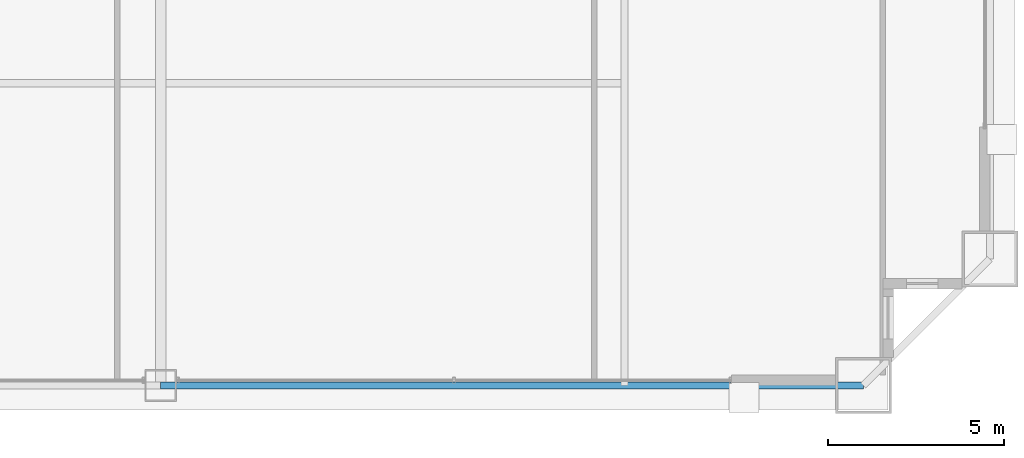
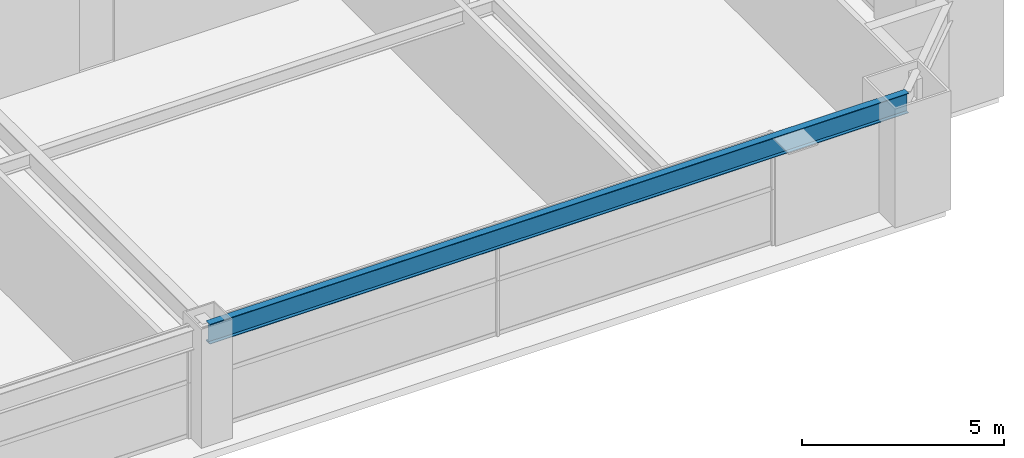
# One storey, part 14 of 38: 1 beam.
"""IFC4 building model written with IfcOpenShell, lengths in metres."""

from ifc_helpers import new_model, si_unit, direction, frame, origin, origin_2d, place, context, subcontext, project, spatial, i_section, extrude, source, transform, mapped, material, material_profile, profile_set, type_object, element, save


model = new_model("IFC4")

# Units and contexts
model_context = context("Model", 3, precision=1e-05, world=origin(), true_north=direction((0.0, 1.0)))
body_context = subcontext(model_context, "Body", "Model", "MODEL_VIEW")
ifc_project = project(units=[si_unit("LENGTHUNIT", "METRE"), si_unit("AREAUNIT", "SQUARE_METRE"), si_unit("VOLUMEUNIT", "CUBIC_METRE"), si_unit("PLANEANGLEUNIT", "RADIAN"), si_unit("MASSUNIT", "GRAM", prefix="KILO"), si_unit("THERMODYNAMICTEMPERATUREUNIT", "KELVIN"), si_unit("POWERUNIT", "WATT")], contexts=[model_context])

# Site, building, storey
site_placement = place(None, origin())
site = spatial("IfcSite", under=ifc_project, at=site_placement, CompositionType="ELEMENT")
building_placement = place(site_placement, origin())
building = spatial("IfcBuilding", under=site, at=building_placement, Name="Yuzanri Waterfront Tower", CompositionType="ELEMENT")
storey_placement = place(building_placement, frame((0.0, 0.0, 111.800048828125)))
storey = spatial("IfcBuildingStorey", under=building, at=storey_placement, Name="L29", CompositionType="ELEMENT", Elevation=111.800048828125)

# Beam
ifc_material = material(Name="Steel Q355B", Category="steel")
ifc_material_profile = material_profile(ifc_material, i_section(OverallWidth=0.199951171875, OverallDepth=0.60009765625, WebThickness=0.010986328125, FlangeThickness=0.01708984375, at=origin_2d()), Name="HN 600x200x11x17")
ifc_profile_set = profile_set([ifc_material_profile], Name="Steel Q355B")
beam_type = type_object("IfcBeamType", Name="Perimeter Spandrel Q355B HN 600x200", PredefinedType="SPANDREL", material=ifc_profile_set)
shared_shape = source(origin(), body_context, "Body", "SweptSolid", [
    extrude(i_section(OverallWidth=0.199951171875, OverallDepth=0.60009765625, WebThickness=0.010986328125, FlangeThickness=0.01708984375, at=origin_2d()), origin(), (0.0, 0.0, 1.0), 20.0),
])
beam_placement = place(storey_placement, frame((37.0, 2.199951171875, 3.079833984375), z_axis=(1.0, 0.0, 0.0), x_axis=(0.0, 1.0, 0.0)))
element("IfcBeam", 1, at=beam_placement, inside=storey, type_object=beam_type, Name="L29 Perimeter Spandrel S2-S3", PredefinedType="SPANDREL", context=body_context, shape_type="MappedRepresentation", body=[
    mapped(shared_shape, transform((0.0, 0.0, 0.0), scale=1.0)),
])

save(model, "model.ifc")
